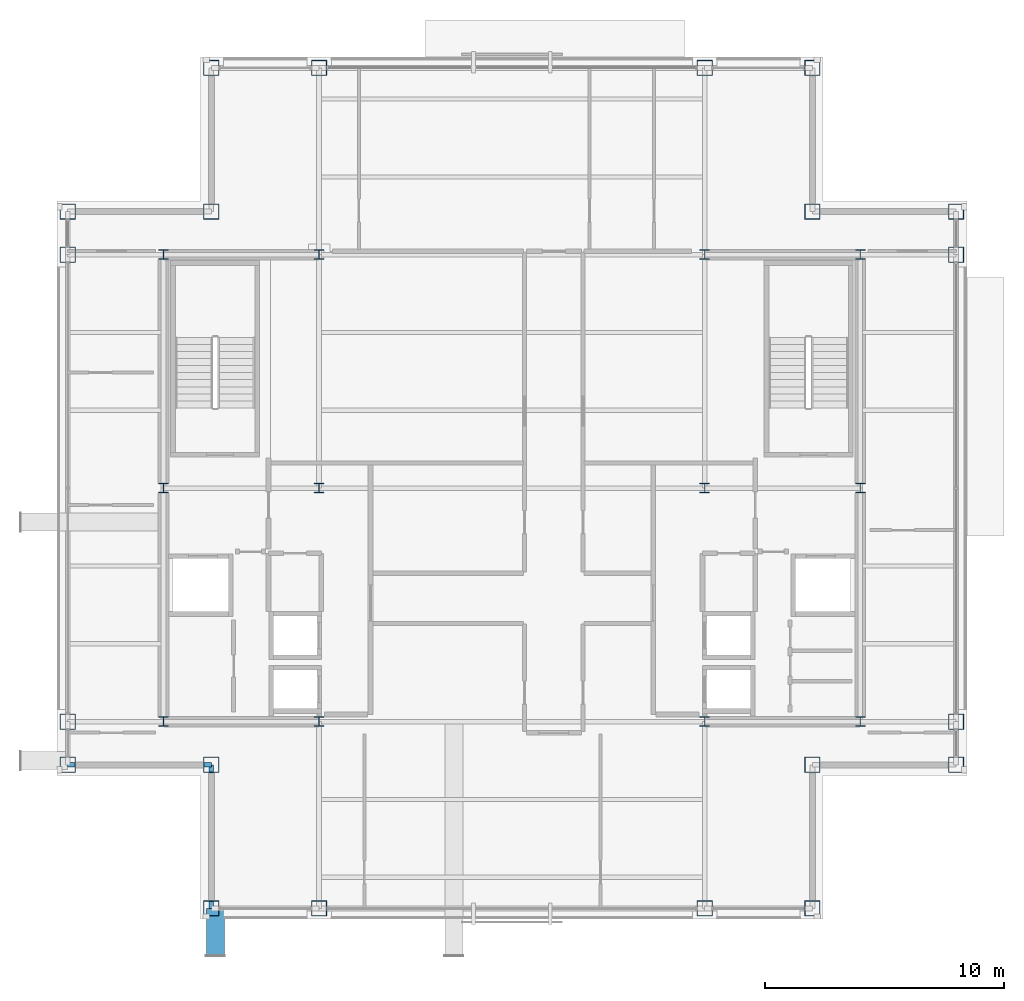
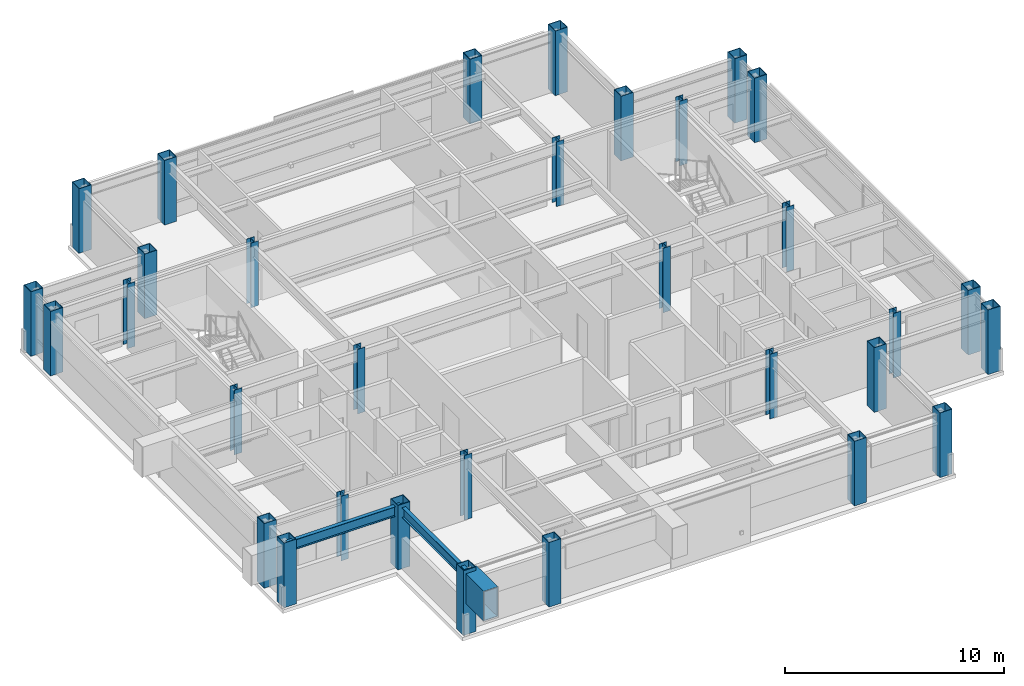
# One storey, part 1 of 20: 32 columns, 3 beams.
"""IFC4 building model written with IfcOpenShell, lengths in metres."""

from ifc_helpers import new_model, si_unit, direction, frame, origin, origin_2d, place, context, subcontext, project, spatial, hollow_rectangle, i_section, extrude, material, material_profile, profile_set, type_object, element, save


model = new_model("IFC4")

# Units and contexts
model_context = context("Model", 3, precision=1e-05, world=origin(), true_north=direction((0.0, 1.0)))
body_context = subcontext(model_context, "Body", "Model", "MODEL_VIEW")
ifc_project = project(units=[si_unit("LENGTHUNIT", "METRE"), si_unit("AREAUNIT", "SQUARE_METRE"), si_unit("VOLUMEUNIT", "CUBIC_METRE"), si_unit("PLANEANGLEUNIT", "RADIAN"), si_unit("MASSUNIT", "GRAM", prefix="KILO")], contexts=[model_context])

# Site, building, storey
site_placement = place(None, origin())
site = spatial("IfcSite", under=ifc_project, at=site_placement, CompositionType="ELEMENT")
building_placement = place(site_placement, origin())
building = spatial("IfcBuilding", under=site, at=building_placement, Name="Brelmoor Portico Tower", CompositionType="ELEMENT")
storey_placement = place(building_placement, frame((0.0, 0.0, 243.60009765625)))
storey = spatial("IfcBuildingStorey", under=building, at=storey_placement, Name="L64", CompositionType="ELEMENT", Elevation=243.60009765625)

# Columns
ifc_material = material(Name="Steel Q355B", Category="steel")
ifc_material_profile_1 = material_profile(ifc_material, hollow_rectangle(XDim=0.64990234375, YDim=0.64990234375, WallThickness=0.028076171875, at=origin_2d()), Name="BOX 650x650x28")
ifc_profile_set_1 = profile_set([ifc_material_profile_1], Name="Steel Q355B")
column_type_1 = type_object("IfcColumnType", Name="COL-MEGA-650", PredefinedType="COLUMN", material=ifc_profile_set_1)
for number, where, z_axis, x_axis, name in (
    (1, (-12.550048828125, -17.550048828125, 0.0), (0.0, 0.0, 1.0), (1.0, 0.0, 0.0), "L64 Perimeter Mega-Column PS01"),
    (2, (-8.050048828125, -17.550048828125, 0.0), (0.0, 0.0, 1.0), (1.0, 0.0, 0.0), "L64 Perimeter Mega-Column PS02"),
    (3, (8.050048828125, -17.550048828125, 0.0), (0.0, 0.0, 1.0), (1.0, 0.0, 0.0), "L64 Perimeter Mega-Column PS03"),
    (4, (12.550048828125, -17.550048828125, 0.0), (0.0, 0.0, 1.0), (1.0, 0.0, 0.0), "L64 Perimeter Mega-Column PS04"),
    (5, (-12.550048828125, 17.550048828125, 0.0), (0.0, 0.0, 1.0), (1.0, 0.0, 0.0), "L64 Perimeter Mega-Column PN01"),
    (6, (-8.050048828125, 17.550048828125, 0.0), (0.0, 0.0, 1.0), (1.0, 0.0, 0.0), "L64 Perimeter Mega-Column PN02"),
    (7, (8.050048828125, 17.550048828125, 0.0), (0.0, 0.0, 1.0), (1.0, 0.0, 0.0), "L64 Perimeter Mega-Column PN03"),
    (8, (12.550048828125, 17.550048828125, 0.0), (0.0, 0.0, 1.0), (1.0, 0.0, 0.0), "L64 Perimeter Mega-Column PN04"),
    (9, (-18.550048828125, -11.550048828125, 0.0), (0.0, 0.0, 1.0), (0.0, 1.0, 0.0), "L64 Perimeter Mega-Column PW01"),
    (10, (-18.550048828125, -9.75, 0.0), (0.0, 0.0, 1.0), (0.0, 1.0, 0.0), "L64 Perimeter Mega-Column PW02"),
    (11, (-18.550048828125, 9.75, 0.0), (0.0, 0.0, 1.0), (0.0, 1.0, 0.0), "L64 Perimeter Mega-Column PW03"),
    (12, (-18.550048828125, 11.550048828125, 0.0), (0.0, 0.0, 1.0), (0.0, 1.0, 0.0), "L64 Perimeter Mega-Column PW04"),
    (13, (18.550048828125, -11.550048828125, 0.0), (0.0, 0.0, 1.0), (0.0, 1.0, 0.0), "L64 Perimeter Mega-Column PE01"),
    (14, (18.550048828125, -9.75, 0.0), (0.0, 0.0, 1.0), (0.0, 1.0, 0.0), "L64 Perimeter Mega-Column PE02"),
    (15, (18.550048828125, 9.75, 0.0), (0.0, 0.0, 1.0), (0.0, 1.0, 0.0), "L64 Perimeter Mega-Column PE03"),
    (16, (18.550048828125, 11.550048828125, 0.0), (0.0, 0.0, 1.0), (0.0, 1.0, 0.0), "L64 Perimeter Mega-Column PE04"),
    (17, (-12.550048828125, 11.550048828125, 0.0), (0.0, 0.0, 1.0), (1.0, 0.0, 0.0), "L64 Perimeter Mega-Column PC-NW"),
    (18, (12.550048828125, 11.550048828125, 0.0), (0.0, 0.0, 1.0), (1.0, 0.0, 0.0), "L64 Perimeter Mega-Column PC-NE"),
    (19, (12.550048828125, -11.550048828125, 0.0), (0.0, 0.0, 1.0), (1.0, 0.0, 0.0), "L64 Perimeter Mega-Column PC-SE"),
    (20, (-12.550048828125, -11.550048828125, 0.0), (0.0, 0.0, 1.0), (1.0, 0.0, 0.0), "L64 Perimeter Mega-Column PC-SW"),
):
    element("IfcColumn", number, at=place(storey_placement, frame(where, z_axis=z_axis, x_axis=x_axis)), inside=storey, type_object=column_type_1, Name=name, PredefinedType="COLUMN", context=body_context, shape_type="SweptSolid", body=[
        extrude(hollow_rectangle(XDim=0.64990234375, YDim=0.64990234375, WallThickness=0.028076171875, at=origin_2d()), origin(), (0.0, 0.0, 1.0), 3.599853515625),
    ])
ifc_material_profile_2 = material_profile(ifc_material, i_section(OverallWidth=0.39990234375, OverallDepth=0.39990234375, WebThickness=0.012939453125, FlangeThickness=0.02099609375, at=origin_2d()), Name="HW 400x400x13x21")
ifc_profile_set_2 = profile_set([ifc_material_profile_2], Name="Steel Q355B")
column_type_2 = type_object("IfcColumnType", Name="COL-SPINE-400", PredefinedType="COLUMN", material=ifc_profile_set_2)
for number, where, z_axis, x_axis, name in (
    (21, (-14.550048828125, -9.75, 0.0), (0.0, 0.0, 1.0), (1.0, 0.0, 0.0), "L64 Core Spine Column CW-SW"),
    (22, (-14.550048828125, 0.0, 0.0), (0.0, 0.0, 1.0), (1.0, 0.0, 0.0), "L64 Core Spine Column CW-MW"),
    (23, (-14.550048828125, 9.75, 0.0), (0.0, 0.0, 1.0), (1.0, 0.0, 0.0), "L64 Core Spine Column CW-NW"),
    (24, (-8.050048828125, -9.75, 0.0), (0.0, 0.0, 1.0), (1.0, 0.0, 0.0), "L64 Core Spine Column CW-SE"),
    (25, (-8.050048828125, 0.0, 0.0), (0.0, 0.0, 1.0), (1.0, 0.0, 0.0), "L64 Core Spine Column CW-ME"),
    (26, (-8.050048828125, 9.75, 0.0), (0.0, 0.0, 1.0), (1.0, 0.0, 0.0), "L64 Core Spine Column CW-NE"),
    (27, (8.050048828125, -9.75, 0.0), (0.0, 0.0, 1.0), (1.0, 0.0, 0.0), "L64 Core Spine Column CE-SW"),
    (28, (8.050048828125, 0.0, 0.0), (0.0, 0.0, 1.0), (1.0, 0.0, 0.0), "L64 Core Spine Column CE-MW"),
    (29, (8.050048828125, 9.75, 0.0), (0.0, 0.0, 1.0), (1.0, 0.0, 0.0), "L64 Core Spine Column CE-NW"),
    (30, (14.550048828125, -9.75, 0.0), (0.0, 0.0, 1.0), (1.0, 0.0, 0.0), "L64 Core Spine Column CE-SE"),
    (31, (14.550048828125, 0.0, 0.0), (0.0, 0.0, 1.0), (1.0, 0.0, 0.0), "L64 Core Spine Column CE-ME"),
    (32, (14.550048828125, 9.75, 0.0), (0.0, 0.0, 1.0), (1.0, 0.0, 0.0), "L64 Core Spine Column CE-NE"),
):
    element("IfcColumn", number, at=place(storey_placement, frame(where, z_axis=z_axis, x_axis=x_axis)), inside=storey, type_object=column_type_2, Name=name, PredefinedType="COLUMN", context=body_context, shape_type="SweptSolid", body=[
        extrude(i_section(OverallWidth=0.39990234375, OverallDepth=0.39990234375, WebThickness=0.012939453125, FlangeThickness=0.02099609375, at=origin_2d()), origin(), (0.0, 0.0, 1.0), 3.599853515625),
    ])

# Beams
ifc_material_profile_3 = material_profile(ifc_material, hollow_rectangle(XDim=0.75, YDim=1.659912109375, WallThickness=0.0419921875, at=origin_2d()), Name="BOX 750x1660x42")
ifc_profile_set_3 = profile_set([ifc_material_profile_3], Name="Steel Q355B")
beam_type_1 = type_object("IfcBeamType", Name="BM-PF-CANT", PredefinedType="BEAM", material=ifc_profile_set_3)
beam_placement = place(storey_placement, frame((-12.3798828125, -19.5, 2.56982421875), z_axis=(0.0, 1.0, 0.0), x_axis=(-1.0, 0.0, 0.0)))
element("IfcBeam", 33, at=beam_placement, inside=storey, type_object=beam_type_1, Name="L64 Picture-Frame Outrigger Transfer Cantilever PFB-01", PredefinedType="BEAM", context=body_context, shape_type="SweptSolid", body=[
    extrude(hollow_rectangle(XDim=0.75, YDim=1.659912109375, WallThickness=0.0419921875, at=origin_2d()), origin(), (0.0, 0.0, 1.0), 1.949951171875),
])
ifc_material_profile_4 = material_profile(ifc_material, i_section(OverallWidth=0.199951171875, OverallDepth=0.550048828125, WebThickness=0.010009765625, FlangeThickness=0.01611328125, at=origin_2d()), Name="HN 550x200x10x16")
ifc_profile_set_4 = profile_set([ifc_material_profile_4], Name="Steel Q355B")
beam_type_2 = type_object("IfcBeamType", Name="BM-SP-550", PredefinedType="SPANDREL", material=ifc_profile_set_4)
for number, where, z_axis, x_axis, name in (
    (34, (-18.550048828125, -11.550048828125, 3.125), (1.0, 0.0, 0.0), (0.0, 1.0, 0.0), "L64 Perimeter Spandrel Beam SP-04"),
    (35, (-12.550048828125, -17.550048828125, 3.125), (0.0, 1.0, 0.0), (-1.0, 0.0, 0.0), "L64 Perimeter Spandrel Beam SP-14"),
):
    element("IfcBeam", number, at=place(storey_placement, frame(where, z_axis=z_axis, x_axis=x_axis)), inside=storey, type_object=beam_type_2, Name=name, PredefinedType="SPANDREL", context=body_context, shape_type="SweptSolid", body=[
        extrude(i_section(OverallWidth=0.199951171875, OverallDepth=0.550048828125, WebThickness=0.010009765625, FlangeThickness=0.01611328125, at=origin_2d()), origin(), (0.0, 0.0, 1.0), 6.0),
    ])

save(model, "model.ifc")
